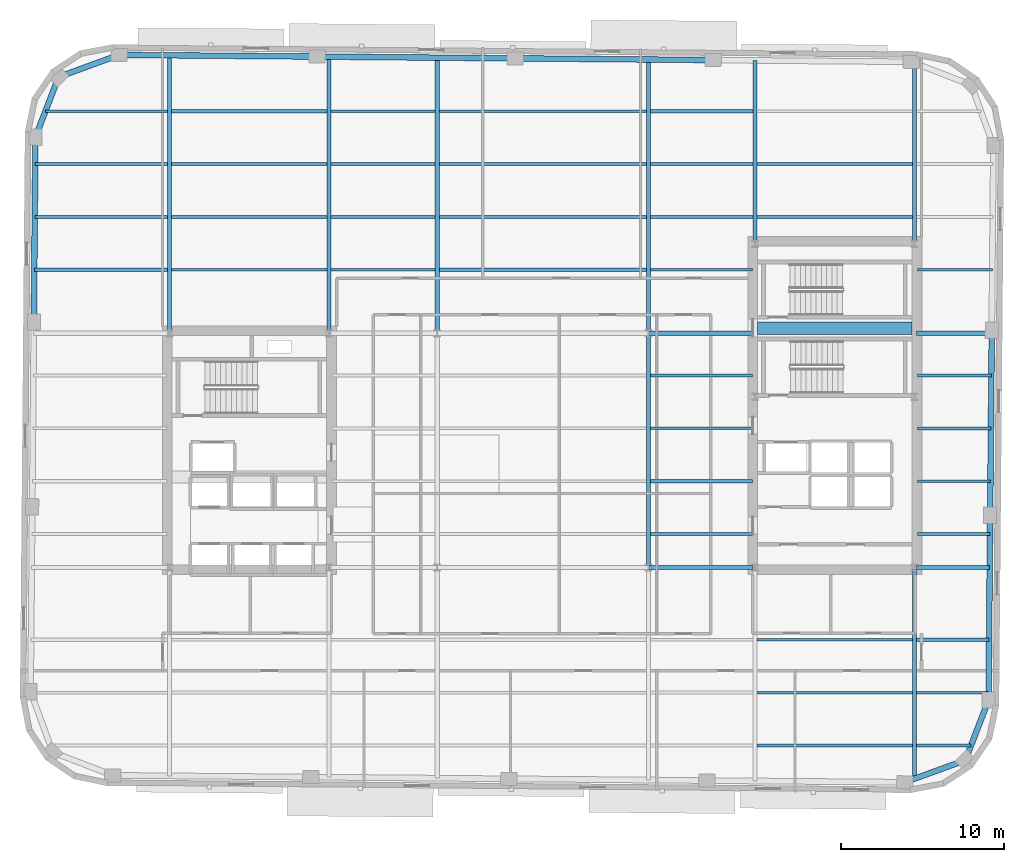
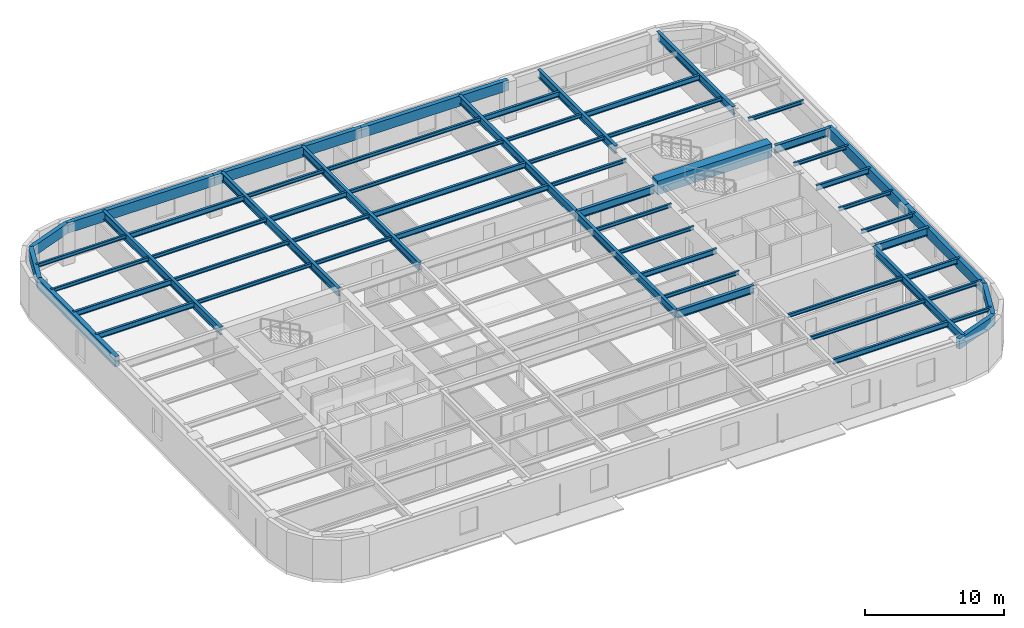
# One storey, part 2 of 11: 60 beams.
"""IFC4 building model written with IfcOpenShell, lengths in metres."""

from ifc_helpers import new_model, si_unit, direction, frame, origin, origin_2d, place, context, subcontext, project, spatial, rectangle, hollow_rectangle, i_section, extrude, material, material_profile, profile_set, type_object, element, save


model = new_model("IFC4")

# Units and contexts
model_context = context("Model", 3, precision=1e-05, world=origin(), true_north=direction((0.0, 1.0)))
body_context = subcontext(model_context, "Body", "Model", "MODEL_VIEW")
ifc_project = project(units=[si_unit("LENGTHUNIT", "METRE"), si_unit("AREAUNIT", "SQUARE_METRE"), si_unit("VOLUMEUNIT", "CUBIC_METRE"), si_unit("PLANEANGLEUNIT", "RADIAN"), si_unit("MASSUNIT", "GRAM", prefix="KILO")], contexts=[model_context])

# Site, building, storey
site_placement = place(None, origin())
site = spatial("IfcSite", under=ifc_project, at=site_placement, CompositionType="ELEMENT")
building_placement = place(site_placement, origin())
building = spatial("IfcBuilding", under=site, at=building_placement, Name="Kolvaren Arena Tower", CompositionType="ELEMENT")
storey_placement = place(building_placement, frame((0.0, 0.0, 173.449951171875)))
storey = spatial("IfcBuildingStorey", under=building, at=storey_placement, Name="L41", CompositionType="ELEMENT", Elevation=173.449951171875)

# Beams
ifc_material_1 = material(Name="Steel CSA G40.21 350W", Category="steel")
ifc_material_profile_1 = material_profile(ifc_material_1, i_section(OverallWidth=0.193115234375, OverallDepth=0.462890625, WebThickness=0.0107421875, FlangeThickness=0.0205078125, FilletRadius=0.012939453125, at=origin_2d()), Name="W460x113")
ifc_profile_set_1 = profile_set([ifc_material_profile_1], Name="Steel CSA G40.21 350W")
beam_type_1 = type_object("IfcBeamType", Name="BEAM-F2", PredefinedType="BEAM", material=ifc_profile_set_1)
beam_1_placement = place(storey_placement, frame((50.677490234375, 8.5, 3.24853515625), z_axis=(1.0, 0.0, 0.0), x_axis=(0.0, 1.0, 0.0)))
element("IfcBeam", 1, at=beam_1_placement, inside=storey, type_object=beam_type_1, Name="Composite Floor Beam (L41)", PredefinedType="BEAM", context=body_context, shape_type="SweptSolid", body=[
    extrude(i_section(OverallWidth=0.193115234375, OverallDepth=0.462890625, WebThickness=0.0107421875, FlangeThickness=0.0205078125, FilletRadius=0.012939453125, at=origin_2d()), origin(), (0.0, 0.0, 1.0), 9.544921875),
])
beam_2_placement = place(storey_placement, frame((60.4775390625, 15.0, 3.24853515625), z_axis=(1.0, 0.0, 0.0), x_axis=(0.0, 1.0, 0.0)))
element("IfcBeam", 2, at=beam_2_placement, inside=storey, type_object=beam_type_1, Name="Composite Floor Beam (L41)", PredefinedType="BEAM", context=body_context, shape_type="SweptSolid", body=[
    extrude(i_section(OverallWidth=0.193115234375, OverallDepth=0.462890625, WebThickness=0.0107421875, FlangeThickness=0.0205078125, FilletRadius=0.012939453125, at=origin_2d()), origin(), (0.0, 0.0, 1.0), 4.454833984375),
])
beam_3_placement = place(storey_placement, frame((44.12744140625, 24.75, 3.24853515625), z_axis=(1.0, 0.0, 0.0), x_axis=(0.0, 1.0, 0.0)))
element("IfcBeam", 3, at=beam_3_placement, inside=storey, type_object=beam_type_1, Name="Composite Floor Beam (L41)", PredefinedType="BEAM", context=body_context, shape_type="SweptSolid", body=[
    extrude(i_section(OverallWidth=0.193115234375, OverallDepth=0.462890625, WebThickness=0.0107421875, FlangeThickness=0.0205078125, FilletRadius=0.012939453125, at=origin_2d()), origin(), (0.0, 0.0, 1.0), 6.25244140625),
])
beam_4_placement = place(storey_placement, frame((60.52001953125, 28.0, 3.24853515625), z_axis=(1.0, 0.0, 0.0), x_axis=(0.0, 1.0, 0.0)))
element("IfcBeam", 4, at=beam_4_placement, inside=storey, type_object=beam_type_1, Name="Composite Floor Beam (L41)", PredefinedType="BEAM", context=body_context, shape_type="SweptSolid", body=[
    extrude(i_section(OverallWidth=0.193115234375, OverallDepth=0.462890625, WebThickness=0.0107421875, FlangeThickness=0.0205078125, FilletRadius=0.012939453125, at=origin_2d()), origin(), (0.0, 0.0, 1.0), 4.52587890625),
])
beam_5_placement = place(storey_placement, frame((6.228759765625, 37.75, 3.24853515625), z_axis=(1.0, 0.0, 0.0), x_axis=(0.0, 1.0, 0.0)))
element("IfcBeam", 5, at=beam_5_placement, inside=storey, type_object=beam_type_1, Name="Composite Floor Beam (L41)", PredefinedType="BEAM", context=body_context, shape_type="SweptSolid", body=[
    extrude(i_section(OverallWidth=0.193115234375, OverallDepth=0.462890625, WebThickness=0.0107421875, FlangeThickness=0.0205078125, FilletRadius=0.012939453125, at=origin_2d()), origin(), (0.0, 0.0, 1.0), 8.19384765625),
])
beam_6_placement = place(storey_placement, frame((31.12744140625, 37.75, 3.24853515625), z_axis=(1.0, 0.0, 0.0), x_axis=(0.0, 1.0, 0.0)))
element("IfcBeam", 6, at=beam_6_placement, inside=storey, type_object=beam_type_1, Name="Composite Floor Beam (L41)", PredefinedType="BEAM", context=body_context, shape_type="SweptSolid", body=[
    extrude(i_section(OverallWidth=0.193115234375, OverallDepth=0.462890625, WebThickness=0.0107421875, FlangeThickness=0.0205078125, FilletRadius=0.012939453125, at=origin_2d()), origin(), (0.0, 0.0, 1.0), 12.7451171875),
])
beam_7_placement = place(storey_placement, frame((6.257080078125, 41.0, 3.24853515625), z_axis=(1.0, 0.0, 0.0), x_axis=(0.0, 1.0, 0.0)))
element("IfcBeam", 7, at=beam_7_placement, inside=storey, type_object=beam_type_1, Name="Composite Floor Beam (L41)", PredefinedType="BEAM", context=body_context, shape_type="SweptSolid", body=[
    extrude(i_section(OverallWidth=0.193115234375, OverallDepth=0.462890625, WebThickness=0.0107421875, FlangeThickness=0.0205078125, FilletRadius=0.012939453125, at=origin_2d()), origin(), (0.0, 0.0, 1.0), 8.16552734375),
])
beam_8_placement = place(storey_placement, frame((31.12744140625, 41.0, 3.24853515625), z_axis=(1.0, 0.0, 0.0), x_axis=(0.0, 1.0, 0.0)))
element("IfcBeam", 8, at=beam_8_placement, inside=storey, type_object=beam_type_1, Name="Composite Floor Beam (L41)", PredefinedType="BEAM", context=body_context, shape_type="SweptSolid", body=[
    extrude(i_section(OverallWidth=0.193115234375, OverallDepth=0.462890625, WebThickness=0.0107421875, FlangeThickness=0.0205078125, FilletRadius=0.012939453125, at=origin_2d()), origin(), (0.0, 0.0, 1.0), 12.7451171875),
])
beam_9_placement = place(storey_placement, frame((24.4775390625, 44.25, 3.24853515625), z_axis=(1.0, 0.0, 0.0), x_axis=(0.0, 1.0, 0.0)))
element("IfcBeam", 9, at=beam_9_placement, inside=storey, type_object=beam_type_1, Name="Composite Floor Beam (L41)", PredefinedType="BEAM", context=body_context, shape_type="SweptSolid", body=[
    extrude(i_section(OverallWidth=0.193115234375, OverallDepth=0.462890625, WebThickness=0.0107421875, FlangeThickness=0.0205078125, FilletRadius=0.012939453125, at=origin_2d()), origin(), (0.0, 0.0, 1.0), 6.39501953125),
])
for number, where, z_axis, x_axis, name in (
    (10, (50.677490234375, 44.25, 3.24853515625), (1.0, 0.0, 0.0), (0.0, 1.0, 0.0), "Composite Floor Beam (L41)"),
    (11, (14.677490234375, 47.5, 3.24853515625), (1.0, 0.0, 0.0), (0.0, 1.0, 0.0), "Composite Floor Beam (L41)"),
):
    element("IfcBeam", number, at=place(storey_placement, frame(where, z_axis=z_axis, x_axis=x_axis)), inside=storey, type_object=beam_type_1, Name=name, PredefinedType="BEAM", context=body_context, shape_type="SweptSolid", body=[
        extrude(i_section(OverallWidth=0.193115234375, OverallDepth=0.462890625, WebThickness=0.0107421875, FlangeThickness=0.0205078125, FilletRadius=0.012939453125, at=origin_2d()), origin(), (0.0, 0.0, 1.0), 9.544921875),
    ])
beam_10_placement = place(storey_placement, frame((44.12744140625, 47.5, 3.24853515625), z_axis=(1.0, 0.0, 0.0), x_axis=(0.0, 1.0, 0.0)))
element("IfcBeam", 12, at=beam_10_placement, inside=storey, type_object=beam_type_1, Name="Composite Floor Beam (L41)", PredefinedType="BEAM", context=body_context, shape_type="SweptSolid", body=[
    extrude(i_section(OverallWidth=0.193115234375, OverallDepth=0.462890625, WebThickness=0.0107421875, FlangeThickness=0.0205078125, FilletRadius=0.012939453125, at=origin_2d()), origin(), (0.0, 0.0, 1.0), 6.295166015625),
])
ifc_material_2 = material(Name="Concrete 60 MPa", Category="concrete")
ifc_material_profile_2 = material_profile(ifc_material_2, rectangle(XDim=0.75, YDim=1.199951171875, at=origin_2d()), Name="RC-750x1200")
ifc_profile_set_2 = profile_set([ifc_material_profile_2], Name="Concrete 60 MPa")
beam_type_2 = type_object("IfcBeamType", Name="CB-CORE-2", PredefinedType="BEAM", material=ifc_profile_set_2)
beam_11_placement = place(storey_placement, frame((50.699951171875, 34.14990234375, 3.150146484375), z_axis=(1.0, 0.0, 0.0), x_axis=(0.0, 1.0, 0.0)))
element("IfcBeam", 13, at=beam_11_placement, inside=storey, type_object=beam_type_2, Name="East Core Coupling Beam (L41)", PredefinedType="BEAM", context=body_context, shape_type="SweptSolid", body=[
    extrude(rectangle(XDim=0.75, YDim=1.199951171875, at=origin_2d()), origin(), (0.0, 0.0, 1.0), 9.5),
])
ifc_material_profile_3 = material_profile(ifc_material_1, i_section(OverallWidth=0.2548828125, OverallDepth=0.695068359375, WebThickness=0.01708984375, FlangeThickness=0.02978515625, FilletRadius=0.01611328125, at=origin_2d()), Name="W690x217")
ifc_profile_set_3 = profile_set([ifc_material_profile_3], Name="Steel CSA G40.21 350W")
beam_type_3 = type_object("IfcBeamType", Name="GIRD-T2", PredefinedType="BEAM", material=ifc_profile_set_3)
beam_12_placement = place(storey_placement, frame((44.0, 19.449951171875, 3.132568359375), z_axis=(1.0, 0.0, 0.0), x_axis=(0.0, 1.0, 0.0)))
element("IfcBeam", 14, at=beam_12_placement, inside=storey, type_object=beam_type_3, Name="Primary Floor Girder (L41)", PredefinedType="BEAM", context=body_context, shape_type="SweptSolid", body=[
    extrude(i_section(OverallWidth=0.2548828125, OverallDepth=0.695068359375, WebThickness=0.01708984375, FlangeThickness=0.02978515625, FilletRadius=0.01611328125, at=origin_2d()), origin(), (0.0, 0.0, 1.0), 6.419921875),
])
beam_13_placement = place(storey_placement, frame((60.47998046875, 19.449951171875, 3.132568359375), z_axis=(1.0, 0.0, 0.0), x_axis=(0.0, 1.0, 0.0)))
element("IfcBeam", 15, at=beam_13_placement, inside=storey, type_object=beam_type_3, Name="Primary Floor Girder (L41)", PredefinedType="BEAM", context=body_context, shape_type="SweptSolid", body=[
    extrude(i_section(OverallWidth=0.2548828125, OverallDepth=0.695068359375, WebThickness=0.01708984375, FlangeThickness=0.02978515625, FilletRadius=0.01611328125, at=origin_2d()), origin(), (0.0, 0.0, 1.0), 4.4912109375),
])
beam_14_placement = place(storey_placement, frame((44.0, 33.85009765625, 3.132568359375), z_axis=(1.0, 0.0, 0.0), x_axis=(0.0, 1.0, 0.0)))
element("IfcBeam", 16, at=beam_14_placement, inside=storey, type_object=beam_type_3, Name="Primary Floor Girder (L41)", PredefinedType="BEAM", context=body_context, shape_type="SweptSolid", body=[
    extrude(i_section(OverallWidth=0.2548828125, OverallDepth=0.695068359375, WebThickness=0.01708984375, FlangeThickness=0.02978515625, FilletRadius=0.01611328125, at=origin_2d()), origin(), (0.0, 0.0, 1.0), 6.419921875),
])
beam_15_placement = place(storey_placement, frame((60.47998046875, 33.85009765625, 3.132568359375), z_axis=(1.0, 0.0, 0.0), x_axis=(0.0, 1.0, 0.0)))
element("IfcBeam", 17, at=beam_15_placement, inside=storey, type_object=beam_type_3, Name="Primary Floor Girder (L41)", PredefinedType="BEAM", context=body_context, shape_type="SweptSolid", body=[
    extrude(i_section(OverallWidth=0.2548828125, OverallDepth=0.695068359375, WebThickness=0.01708984375, FlangeThickness=0.02978515625, FilletRadius=0.01611328125, at=origin_2d()), origin(), (0.0, 0.0, 1.0), 4.616943359375),
])
beam_16_placement = place(storey_placement, frame((14.550048828125, 33.97998046875, 3.132568359375), z_axis=(0.0, 1.0, 0.0), x_axis=(-1.0, 0.0, 0.0)))
element("IfcBeam", 18, at=beam_16_placement, inside=storey, type_object=beam_type_3, Name="Primary Floor Girder (L41)", PredefinedType="BEAM", context=body_context, shape_type="SweptSolid", body=[
    extrude(i_section(OverallWidth=0.2548828125, OverallDepth=0.695068359375, WebThickness=0.01708984375, FlangeThickness=0.02978515625, FilletRadius=0.01611328125, at=origin_2d()), origin(), (0.0, 0.0, 1.0), 16.95458984375),
])
beam_17_placement = place(storey_placement, frame((24.35009765625, 33.97998046875, 3.132568359375), z_axis=(0.0, 1.0, 0.0), x_axis=(-1.0, 0.0, 0.0)))
element("IfcBeam", 19, at=beam_17_placement, inside=storey, type_object=beam_type_3, Name="Primary Floor Girder (L41)", PredefinedType="BEAM", context=body_context, shape_type="SweptSolid", body=[
    extrude(i_section(OverallWidth=0.2548828125, OverallDepth=0.695068359375, WebThickness=0.01708984375, FlangeThickness=0.02978515625, FilletRadius=0.01611328125, at=origin_2d()), origin(), (0.0, 0.0, 1.0), 16.869140625),
])
beam_18_placement = place(storey_placement, frame((31.0, 33.85009765625, 3.132568359375), z_axis=(0.0, 1.0, 0.0), x_axis=(-1.0, 0.0, 0.0)))
element("IfcBeam", 20, at=beam_18_placement, inside=storey, type_object=beam_type_3, Name="Primary Floor Girder (L41)", PredefinedType="BEAM", context=body_context, shape_type="SweptSolid", body=[
    extrude(i_section(OverallWidth=0.2548828125, OverallDepth=0.695068359375, WebThickness=0.01708984375, FlangeThickness=0.02978515625, FilletRadius=0.01611328125, at=origin_2d()), origin(), (0.0, 0.0, 1.0), 16.94091796875),
])
beam_19_placement = place(storey_placement, frame((44.0, 19.449951171875, 3.132568359375), z_axis=(0.0, 1.0, 0.0), x_axis=(-1.0, 0.0, 0.0)))
element("IfcBeam", 21, at=beam_19_placement, inside=storey, type_object=beam_type_3, Name="Primary Floor Girder (L41)", PredefinedType="BEAM", context=body_context, shape_type="SweptSolid", body=[
    extrude(i_section(OverallWidth=0.2548828125, OverallDepth=0.695068359375, WebThickness=0.01708984375, FlangeThickness=0.02978515625, FilletRadius=0.01611328125, at=origin_2d()), origin(), (0.0, 0.0, 1.0), 14.400146484375),
])
beam_20_placement = place(storey_placement, frame((44.0, 33.85009765625, 3.132568359375), z_axis=(0.0, 1.0, 0.0), x_axis=(-1.0, 0.0, 0.0)))
element("IfcBeam", 22, at=beam_20_placement, inside=storey, type_object=beam_type_3, Name="Primary Floor Girder (L41)", PredefinedType="BEAM", context=body_context, shape_type="SweptSolid", body=[
    extrude(i_section(OverallWidth=0.2548828125, OverallDepth=0.695068359375, WebThickness=0.01708984375, FlangeThickness=0.02978515625, FilletRadius=0.01611328125, at=origin_2d()), origin(), (0.0, 0.0, 1.0), 16.827392578125),
])
beam_21_placement = place(storey_placement, frame((50.550048828125, 39.47998046875, 3.132568359375), z_axis=(0.0, 1.0, 0.0), x_axis=(-1.0, 0.0, 0.0)))
element("IfcBeam", 23, at=beam_21_placement, inside=storey, type_object=beam_type_3, Name="Primary Floor Girder (L41)", PredefinedType="BEAM", context=body_context, shape_type="SweptSolid", body=[
    extrude(i_section(OverallWidth=0.2548828125, OverallDepth=0.695068359375, WebThickness=0.01708984375, FlangeThickness=0.02978515625, FilletRadius=0.01611328125, at=origin_2d()), origin(), (0.0, 0.0, 1.0), 11.140380859375),
])
beam_22_placement = place(storey_placement, frame((60.35009765625, 6.455322265625, 3.132568359375), z_axis=(0.0, 1.0, 0.0), x_axis=(-1.0, 0.0, 0.0)))
element("IfcBeam", 24, at=beam_22_placement, inside=storey, type_object=beam_type_3, Name="Primary Floor Girder (L41)", PredefinedType="BEAM", context=body_context, shape_type="SweptSolid", body=[
    extrude(i_section(OverallWidth=0.2548828125, OverallDepth=0.695068359375, WebThickness=0.01708984375, FlangeThickness=0.02978515625, FilletRadius=0.01611328125, at=origin_2d()), origin(), (0.0, 0.0, 1.0), 12.86474609375),
])
beam_23_placement = place(storey_placement, frame((60.35009765625, 39.47998046875, 3.132568359375), z_axis=(0.0, 1.0, 0.0), x_axis=(-1.0, 0.0, 0.0)))
element("IfcBeam", 25, at=beam_23_placement, inside=storey, type_object=beam_type_3, Name="Primary Floor Girder (L41)", PredefinedType="BEAM", context=body_context, shape_type="SweptSolid", body=[
    extrude(i_section(OverallWidth=0.2548828125, OverallDepth=0.695068359375, WebThickness=0.01708984375, FlangeThickness=0.02978515625, FilletRadius=0.01611328125, at=origin_2d()), origin(), (0.0, 0.0, 1.0), 10.976806640625),
])
ifc_material_profile_4 = material_profile(ifc_material_1, i_section(OverallWidth=0.1669921875, OverallDepth=0.31689453125, WebThickness=0.007568359375, FlangeThickness=0.01318359375, FilletRadius=0.010009765625, at=origin_2d()), Name="W310x52")
ifc_profile_set_4 = profile_set([ifc_material_profile_4], Name="Steel CSA G40.21 350W")
beam_type_4 = type_object("IfcBeamType", Name="JOIST-02", PredefinedType="JOIST", material=ifc_profile_set_4)
beam_24_placement = place(storey_placement, frame((60.4775390625, 8.5, 3.321533203125), z_axis=(1.0, 0.0, 0.0), x_axis=(0.0, 1.0, 0.0)))
element("IfcBeam", 26, at=beam_24_placement, inside=storey, type_object=beam_type_4, Name="Composite Floor Joist (L41)", PredefinedType="JOIST", context=body_context, shape_type="SweptSolid", body=[
    extrude(i_section(OverallWidth=0.1669921875, OverallDepth=0.31689453125, WebThickness=0.007568359375, FlangeThickness=0.01318359375, FilletRadius=0.010009765625, at=origin_2d()), origin(), (0.0, 0.0, 1.0), 3.3466796875),
])
beam_25_placement = place(storey_placement, frame((50.677490234375, 11.75, 3.321533203125), z_axis=(1.0, 0.0, 0.0), x_axis=(0.0, 1.0, 0.0)))
element("IfcBeam", 27, at=beam_25_placement, inside=storey, type_object=beam_type_4, Name="Composite Floor Joist (L41)", PredefinedType="JOIST", context=body_context, shape_type="SweptSolid", body=[
    extrude(i_section(OverallWidth=0.1669921875, OverallDepth=0.31689453125, WebThickness=0.007568359375, FlangeThickness=0.01318359375, FilletRadius=0.010009765625, at=origin_2d()), origin(), (0.0, 0.0, 1.0), 9.544921875),
])
beam_26_placement = place(storey_placement, frame((60.4775390625, 11.75, 3.321533203125), z_axis=(1.0, 0.0, 0.0), x_axis=(0.0, 1.0, 0.0)))
element("IfcBeam", 28, at=beam_26_placement, inside=storey, type_object=beam_type_4, Name="Composite Floor Joist (L41)", PredefinedType="JOIST", context=body_context, shape_type="SweptSolid", body=[
    extrude(i_section(OverallWidth=0.1669921875, OverallDepth=0.31689453125, WebThickness=0.007568359375, FlangeThickness=0.01318359375, FilletRadius=0.010009765625, at=origin_2d()), origin(), (0.0, 0.0, 1.0), 4.426513671875),
])
beam_27_placement = place(storey_placement, frame((50.677490234375, 15.0, 3.321533203125), z_axis=(1.0, 0.0, 0.0), x_axis=(0.0, 1.0, 0.0)))
element("IfcBeam", 29, at=beam_27_placement, inside=storey, type_object=beam_type_4, Name="Composite Floor Joist (L41)", PredefinedType="JOIST", context=body_context, shape_type="SweptSolid", body=[
    extrude(i_section(OverallWidth=0.1669921875, OverallDepth=0.31689453125, WebThickness=0.007568359375, FlangeThickness=0.01318359375, FilletRadius=0.010009765625, at=origin_2d()), origin(), (0.0, 0.0, 1.0), 9.544921875),
])
beam_28_placement = place(storey_placement, frame((44.12744140625, 21.5, 3.321533203125), z_axis=(1.0, 0.0, 0.0), x_axis=(0.0, 1.0, 0.0)))
element("IfcBeam", 30, at=beam_28_placement, inside=storey, type_object=beam_type_4, Name="Composite Floor Joist (L41)", PredefinedType="JOIST", context=body_context, shape_type="SweptSolid", body=[
    extrude(i_section(OverallWidth=0.1669921875, OverallDepth=0.31689453125, WebThickness=0.007568359375, FlangeThickness=0.01318359375, FilletRadius=0.010009765625, at=origin_2d()), origin(), (0.0, 0.0, 1.0), 6.25244140625),
])
beam_29_placement = place(storey_placement, frame((60.52001953125, 21.5, 3.321533203125), z_axis=(1.0, 0.0, 0.0), x_axis=(0.0, 1.0, 0.0)))
element("IfcBeam", 31, at=beam_29_placement, inside=storey, type_object=beam_type_4, Name="Composite Floor Joist (L41)", PredefinedType="JOIST", context=body_context, shape_type="SweptSolid", body=[
    extrude(i_section(OverallWidth=0.1669921875, OverallDepth=0.31689453125, WebThickness=0.007568359375, FlangeThickness=0.01318359375, FilletRadius=0.010009765625, at=origin_2d()), origin(), (0.0, 0.0, 1.0), 4.46923828125),
])
beam_30_placement = place(storey_placement, frame((60.52001953125, 24.75, 3.321533203125), z_axis=(1.0, 0.0, 0.0), x_axis=(0.0, 1.0, 0.0)))
element("IfcBeam", 32, at=beam_30_placement, inside=storey, type_object=beam_type_4, Name="Composite Floor Joist (L41)", PredefinedType="JOIST", context=body_context, shape_type="SweptSolid", body=[
    extrude(i_section(OverallWidth=0.1669921875, OverallDepth=0.31689453125, WebThickness=0.007568359375, FlangeThickness=0.01318359375, FilletRadius=0.010009765625, at=origin_2d()), origin(), (0.0, 0.0, 1.0), 4.49755859375),
])
for number, where, z_axis, x_axis, name in (
    (33, (44.12744140625, 28.0, 3.321533203125), (1.0, 0.0, 0.0), (0.0, 1.0, 0.0), "Composite Floor Joist (L41)"),
    (34, (44.12744140625, 31.25, 3.321533203125), (1.0, 0.0, 0.0), (0.0, 1.0, 0.0), "Composite Floor Joist (L41)"),
):
    element("IfcBeam", number, at=place(storey_placement, frame(where, z_axis=z_axis, x_axis=x_axis)), inside=storey, type_object=beam_type_4, Name=name, PredefinedType="JOIST", context=body_context, shape_type="SweptSolid", body=[
        extrude(i_section(OverallWidth=0.1669921875, OverallDepth=0.31689453125, WebThickness=0.007568359375, FlangeThickness=0.01318359375, FilletRadius=0.010009765625, at=origin_2d()), origin(), (0.0, 0.0, 1.0), 6.25244140625),
    ])
beam_31_placement = place(storey_placement, frame((60.52001953125, 31.25, 3.321533203125), z_axis=(1.0, 0.0, 0.0), x_axis=(0.0, 1.0, 0.0)))
element("IfcBeam", 35, at=beam_31_placement, inside=storey, type_object=beam_type_4, Name="Composite Floor Joist (L41)", PredefinedType="JOIST", context=body_context, shape_type="SweptSolid", body=[
    extrude(i_section(OverallWidth=0.1669921875, OverallDepth=0.31689453125, WebThickness=0.007568359375, FlangeThickness=0.01318359375, FilletRadius=0.010009765625, at=origin_2d()), origin(), (0.0, 0.0, 1.0), 4.55419921875),
])
beam_32_placement = place(storey_placement, frame((14.677490234375, 37.75, 3.321533203125), z_axis=(1.0, 0.0, 0.0), x_axis=(0.0, 1.0, 0.0)))
element("IfcBeam", 36, at=beam_32_placement, inside=storey, type_object=beam_type_4, Name="Composite Floor Joist (L41)", PredefinedType="JOIST", context=body_context, shape_type="SweptSolid", body=[
    extrude(i_section(OverallWidth=0.1669921875, OverallDepth=0.31689453125, WebThickness=0.007568359375, FlangeThickness=0.01318359375, FilletRadius=0.010009765625, at=origin_2d()), origin(), (0.0, 0.0, 1.0), 9.544921875),
])
beam_33_placement = place(storey_placement, frame((24.4775390625, 37.75, 3.321533203125), z_axis=(1.0, 0.0, 0.0), x_axis=(0.0, 1.0, 0.0)))
element("IfcBeam", 37, at=beam_33_placement, inside=storey, type_object=beam_type_4, Name="Composite Floor Joist (L41)", PredefinedType="JOIST", context=body_context, shape_type="SweptSolid", body=[
    extrude(i_section(OverallWidth=0.1669921875, OverallDepth=0.31689453125, WebThickness=0.007568359375, FlangeThickness=0.01318359375, FilletRadius=0.010009765625, at=origin_2d()), origin(), (0.0, 0.0, 1.0), 6.39501953125),
])
beam_34_placement = place(storey_placement, frame((44.12744140625, 37.75, 3.321533203125), z_axis=(1.0, 0.0, 0.0), x_axis=(0.0, 1.0, 0.0)))
element("IfcBeam", 38, at=beam_34_placement, inside=storey, type_object=beam_type_4, Name="Composite Floor Joist (L41)", PredefinedType="JOIST", context=body_context, shape_type="SweptSolid", body=[
    extrude(i_section(OverallWidth=0.1669921875, OverallDepth=0.31689453125, WebThickness=0.007568359375, FlangeThickness=0.01318359375, FilletRadius=0.010009765625, at=origin_2d()), origin(), (0.0, 0.0, 1.0), 6.25244140625),
])
beam_35_placement = place(storey_placement, frame((60.52001953125, 37.75, 3.321533203125), z_axis=(1.0, 0.0, 0.0), x_axis=(0.0, 1.0, 0.0)))
element("IfcBeam", 39, at=beam_35_placement, inside=storey, type_object=beam_type_4, Name="Composite Floor Joist (L41)", PredefinedType="JOIST", context=body_context, shape_type="SweptSolid", body=[
    extrude(i_section(OverallWidth=0.1669921875, OverallDepth=0.31689453125, WebThickness=0.007568359375, FlangeThickness=0.01318359375, FilletRadius=0.010009765625, at=origin_2d()), origin(), (0.0, 0.0, 1.0), 4.611083984375),
])
beam_36_placement = place(storey_placement, frame((14.677490234375, 41.0, 3.321533203125), z_axis=(1.0, 0.0, 0.0), x_axis=(0.0, 1.0, 0.0)))
element("IfcBeam", 40, at=beam_36_placement, inside=storey, type_object=beam_type_4, Name="Composite Floor Joist (L41)", PredefinedType="JOIST", context=body_context, shape_type="SweptSolid", body=[
    extrude(i_section(OverallWidth=0.1669921875, OverallDepth=0.31689453125, WebThickness=0.007568359375, FlangeThickness=0.01318359375, FilletRadius=0.010009765625, at=origin_2d()), origin(), (0.0, 0.0, 1.0), 9.544921875),
])
beam_37_placement = place(storey_placement, frame((24.4775390625, 41.0, 3.321533203125), z_axis=(1.0, 0.0, 0.0), x_axis=(0.0, 1.0, 0.0)))
element("IfcBeam", 41, at=beam_37_placement, inside=storey, type_object=beam_type_4, Name="Composite Floor Joist (L41)", PredefinedType="JOIST", context=body_context, shape_type="SweptSolid", body=[
    extrude(i_section(OverallWidth=0.1669921875, OverallDepth=0.31689453125, WebThickness=0.007568359375, FlangeThickness=0.01318359375, FilletRadius=0.010009765625, at=origin_2d()), origin(), (0.0, 0.0, 1.0), 6.39501953125),
])
beam_38_placement = place(storey_placement, frame((44.12744140625, 41.0, 3.321533203125), z_axis=(1.0, 0.0, 0.0), x_axis=(0.0, 1.0, 0.0)))
element("IfcBeam", 42, at=beam_38_placement, inside=storey, type_object=beam_type_4, Name="Composite Floor Joist (L41)", PredefinedType="JOIST", context=body_context, shape_type="SweptSolid", body=[
    extrude(i_section(OverallWidth=0.1669921875, OverallDepth=0.31689453125, WebThickness=0.007568359375, FlangeThickness=0.01318359375, FilletRadius=0.010009765625, at=origin_2d()), origin(), (0.0, 0.0, 1.0), 6.295166015625),
])
beam_39_placement = place(storey_placement, frame((50.677490234375, 41.0, 3.321533203125), z_axis=(1.0, 0.0, 0.0), x_axis=(0.0, 1.0, 0.0)))
element("IfcBeam", 43, at=beam_39_placement, inside=storey, type_object=beam_type_4, Name="Composite Floor Joist (L41)", PredefinedType="JOIST", context=body_context, shape_type="SweptSolid", body=[
    extrude(i_section(OverallWidth=0.1669921875, OverallDepth=0.31689453125, WebThickness=0.007568359375, FlangeThickness=0.01318359375, FilletRadius=0.010009765625, at=origin_2d()), origin(), (0.0, 0.0, 1.0), 9.544921875),
])
beam_40_placement = place(storey_placement, frame((6.285400390625, 44.25, 3.321533203125), z_axis=(1.0, 0.0, 0.0), x_axis=(0.0, 1.0, 0.0)))
element("IfcBeam", 44, at=beam_40_placement, inside=storey, type_object=beam_type_4, Name="Composite Floor Joist (L41)", PredefinedType="JOIST", context=body_context, shape_type="SweptSolid", body=[
    extrude(i_section(OverallWidth=0.1669921875, OverallDepth=0.31689453125, WebThickness=0.007568359375, FlangeThickness=0.01318359375, FilletRadius=0.010009765625, at=origin_2d()), origin(), (0.0, 0.0, 1.0), 8.13720703125),
])
beam_41_placement = place(storey_placement, frame((14.677490234375, 44.25, 3.321533203125), z_axis=(1.0, 0.0, 0.0), x_axis=(0.0, 1.0, 0.0)))
element("IfcBeam", 45, at=beam_41_placement, inside=storey, type_object=beam_type_4, Name="Composite Floor Joist (L41)", PredefinedType="JOIST", context=body_context, shape_type="SweptSolid", body=[
    extrude(i_section(OverallWidth=0.1669921875, OverallDepth=0.31689453125, WebThickness=0.007568359375, FlangeThickness=0.01318359375, FilletRadius=0.010009765625, at=origin_2d()), origin(), (0.0, 0.0, 1.0), 9.544921875),
])
beam_42_placement = place(storey_placement, frame((31.12744140625, 44.25, 3.321533203125), z_axis=(1.0, 0.0, 0.0), x_axis=(0.0, 1.0, 0.0)))
element("IfcBeam", 46, at=beam_42_placement, inside=storey, type_object=beam_type_4, Name="Composite Floor Joist (L41)", PredefinedType="JOIST", context=body_context, shape_type="SweptSolid", body=[
    extrude(i_section(OverallWidth=0.1669921875, OverallDepth=0.31689453125, WebThickness=0.007568359375, FlangeThickness=0.01318359375, FilletRadius=0.010009765625, at=origin_2d()), origin(), (0.0, 0.0, 1.0), 12.7451171875),
])
beam_43_placement = place(storey_placement, frame((44.12744140625, 44.25, 3.321533203125), z_axis=(1.0, 0.0, 0.0), x_axis=(0.0, 1.0, 0.0)))
element("IfcBeam", 47, at=beam_43_placement, inside=storey, type_object=beam_type_4, Name="Composite Floor Joist (L41)", PredefinedType="JOIST", context=body_context, shape_type="SweptSolid", body=[
    extrude(i_section(OverallWidth=0.1669921875, OverallDepth=0.31689453125, WebThickness=0.007568359375, FlangeThickness=0.01318359375, FilletRadius=0.010009765625, at=origin_2d()), origin(), (0.0, 0.0, 1.0), 6.295166015625),
])
beam_44_placement = place(storey_placement, frame((6.913818359375, 47.5, 3.321533203125), z_axis=(1.0, 0.0, 0.0), x_axis=(0.0, 1.0, 0.0)))
element("IfcBeam", 48, at=beam_44_placement, inside=storey, type_object=beam_type_4, Name="Composite Floor Joist (L41)", PredefinedType="JOIST", context=body_context, shape_type="SweptSolid", body=[
    extrude(i_section(OverallWidth=0.1669921875, OverallDepth=0.31689453125, WebThickness=0.007568359375, FlangeThickness=0.01318359375, FilletRadius=0.010009765625, at=origin_2d()), origin(), (0.0, 0.0, 1.0), 7.5087890625),
])
beam_45_placement = place(storey_placement, frame((24.4775390625, 47.5, 3.321533203125), z_axis=(1.0, 0.0, 0.0), x_axis=(0.0, 1.0, 0.0)))
element("IfcBeam", 49, at=beam_45_placement, inside=storey, type_object=beam_type_4, Name="Composite Floor Joist (L41)", PredefinedType="JOIST", context=body_context, shape_type="SweptSolid", body=[
    extrude(i_section(OverallWidth=0.1669921875, OverallDepth=0.31689453125, WebThickness=0.007568359375, FlangeThickness=0.01318359375, FilletRadius=0.010009765625, at=origin_2d()), origin(), (0.0, 0.0, 1.0), 6.39501953125),
])
beam_46_placement = place(storey_placement, frame((31.12744140625, 47.5, 3.321533203125), z_axis=(1.0, 0.0, 0.0), x_axis=(0.0, 1.0, 0.0)))
element("IfcBeam", 50, at=beam_46_placement, inside=storey, type_object=beam_type_4, Name="Composite Floor Joist (L41)", PredefinedType="JOIST", context=body_context, shape_type="SweptSolid", body=[
    extrude(i_section(OverallWidth=0.1669921875, OverallDepth=0.31689453125, WebThickness=0.007568359375, FlangeThickness=0.01318359375, FilletRadius=0.010009765625, at=origin_2d()), origin(), (0.0, 0.0, 1.0), 12.7451171875),
])
ifc_material_3 = material(Name="Steel CSA G40.21 350WT", Category="steel")
ifc_material_profile_5 = material_profile(ifc_material_3, hollow_rectangle(XDim=0.35009765625, YDim=0.89990234375, WallThickness=0.02001953125, at=origin_2d()), Name="HSS 900x350x20")
ifc_profile_set_5 = profile_set([ifc_material_profile_5], Name="Steel CSA G40.21 350WT")
beam_type_5 = type_object("IfcBeamType", Name="SPAND-01", PredefinedType="SPANDREL", material=ifc_profile_set_5)
for number, where, z_axis, x_axis, name in (
    (51, (59.755859375, 6.23828125, 3.030029296875), (0.939313819882, 0.343059102458, 0.0), (-0.343059102458, 0.939313819882, 0.0), "Perimeter Spandrel Beam (L41)"),
    (52, (63.4765625, 7.59716796875, 3.030029296875), (0.359383792094, 0.933189846698, 0.0), (-0.933189846698, 0.359383792094, 0.0), "Perimeter Spandrel Beam (L41)"),
):
    element("IfcBeam", number, at=place(storey_placement, frame(where, z_axis=z_axis, x_axis=x_axis)), inside=storey, type_object=beam_type_5, Name=name, PredefinedType="SPANDREL", context=body_context, shape_type="SweptSolid", body=[
        extrude(hollow_rectangle(XDim=0.35009765625, YDim=0.89990234375, WallThickness=0.02001953125, at=origin_2d()), origin(), (0.0, 0.0, 1.0), 3.961181640625),
    ])
for number, where, z_axis, x_axis, name in (
    (53, (64.900146484375, 11.293701171875, 3.030029296875), (0.008720348885, 0.999961977035, 0.0), (-0.999961977035, 0.008720348885, 0.0), "Perimeter Spandrel Beam (L41)"),
    (54, (64.999267578125, 22.659912109375, 3.030029296875), (0.008720348885, 0.999961977035, 0.0), (-0.999961977035, 0.008720348885, 0.0), "Perimeter Spandrel Beam (L41)"),
):
    element("IfcBeam", number, at=place(storey_placement, frame(where, z_axis=z_axis, x_axis=x_axis)), inside=storey, type_object=beam_type_5, Name=name, PredefinedType="SPANDREL", context=body_context, shape_type="SweptSolid", body=[
        extrude(hollow_rectangle(XDim=0.35009765625, YDim=0.89990234375, WallThickness=0.02001953125, at=origin_2d()), origin(), (0.0, 0.0, 1.0), 11.36669921875),
    ])
beam_47_placement = place(storey_placement, frame((47.9677734375, 50.642822265625, 3.030029296875), z_axis=(-0.999961779919, 0.008742922896, 0.0), x_axis=(-0.008742922896, -0.999961779919, 0.0)))
element("IfcBeam", 55, at=beam_47_placement, inside=storey, type_object=beam_type_5, Name="Perimeter Spandrel Beam (L41)", PredefinedType="SPANDREL", context=body_context, shape_type="SweptSolid", body=[
    extrude(hollow_rectangle(XDim=0.35009765625, YDim=0.89990234375, WallThickness=0.02001953125, at=origin_2d()), origin(), (0.0, 0.0, 1.0), 12.175048828125),
])
beam_48_placement = place(storey_placement, frame((35.793212890625, 50.749267578125, 3.030029296875), z_axis=(-0.999961953504, 0.008723046761, 0.0), x_axis=(-0.008723046761, -0.999961953504, 0.0)))
element("IfcBeam", 56, at=beam_48_placement, inside=storey, type_object=beam_type_5, Name="Perimeter Spandrel Beam (L41)", PredefinedType="SPANDREL", context=body_context, shape_type="SweptSolid", body=[
    extrude(hollow_rectangle(XDim=0.35009765625, YDim=0.89990234375, WallThickness=0.02001953125, at=origin_2d()), origin(), (0.0, 0.0, 1.0), 12.1748046875),
])
beam_49_placement = place(storey_placement, frame((23.618896484375, 50.85546875, 3.030029296875), z_axis=(-0.999961956555, 0.008722696942, 0.0), x_axis=(-0.008722696942, -0.999961956555, 0.0)))
element("IfcBeam", 57, at=beam_49_placement, inside=storey, type_object=beam_type_5, Name="Perimeter Spandrel Beam (L41)", PredefinedType="SPANDREL", context=body_context, shape_type="SweptSolid", body=[
    extrude(hollow_rectangle(XDim=0.35009765625, YDim=0.89990234375, WallThickness=0.02001953125, at=origin_2d()), origin(), (0.0, 0.0, 1.0), 12.17529296875),
])
for number, where, z_axis, x_axis, name in (
    (58, (11.444091796875, 50.961669921875, 3.030029296875), (-0.939313819882, -0.343059102458, 0.0), (0.343059102458, -0.939313819882, 0.0), "Perimeter Spandrel Beam (L41)"),
    (59, (7.723388671875, 49.602783203125, 3.030029296875), (-0.359383792094, -0.933189846698, 0.0), (0.933189846698, -0.359383792094, 0.0), "Perimeter Spandrel Beam (L41)"),
):
    element("IfcBeam", number, at=place(storey_placement, frame(where, z_axis=z_axis, x_axis=x_axis)), inside=storey, type_object=beam_type_5, Name=name, PredefinedType="SPANDREL", context=body_context, shape_type="SweptSolid", body=[
        extrude(hollow_rectangle(XDim=0.35009765625, YDim=0.89990234375, WallThickness=0.02001953125, at=origin_2d()), origin(), (0.0, 0.0, 1.0), 3.961181640625),
    ])
beam_50_placement = place(storey_placement, frame((6.2998046875, 45.90625, 3.030029296875), z_axis=(-0.008720348885, -0.999961977035, 0.0), x_axis=(0.999961977035, -0.008720348885, 0.0)))
element("IfcBeam", 60, at=beam_50_placement, inside=storey, type_object=beam_type_5, Name="Perimeter Spandrel Beam (L41)", PredefinedType="SPANDREL", context=body_context, shape_type="SweptSolid", body=[
    extrude(hollow_rectangle(XDim=0.35009765625, YDim=0.89990234375, WallThickness=0.02001953125, at=origin_2d()), origin(), (0.0, 0.0, 1.0), 11.36669921875),
])

save(model, "model.ifc")
